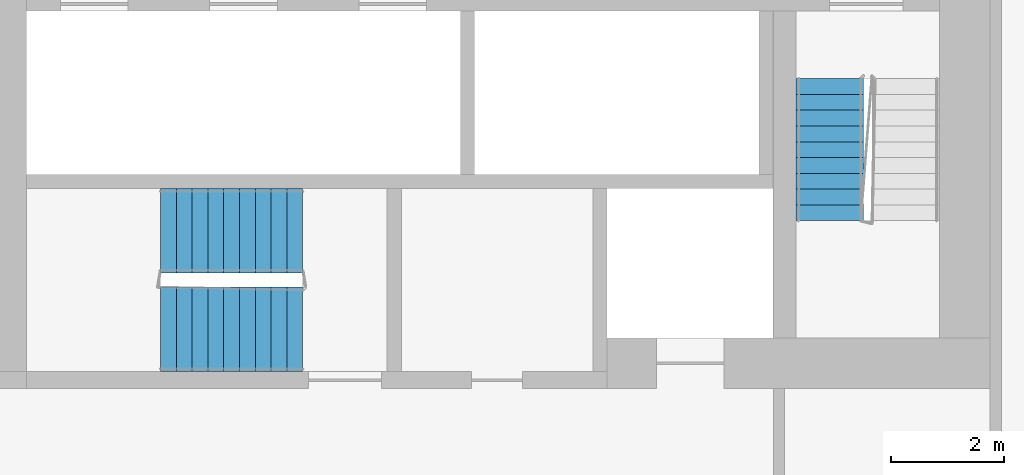
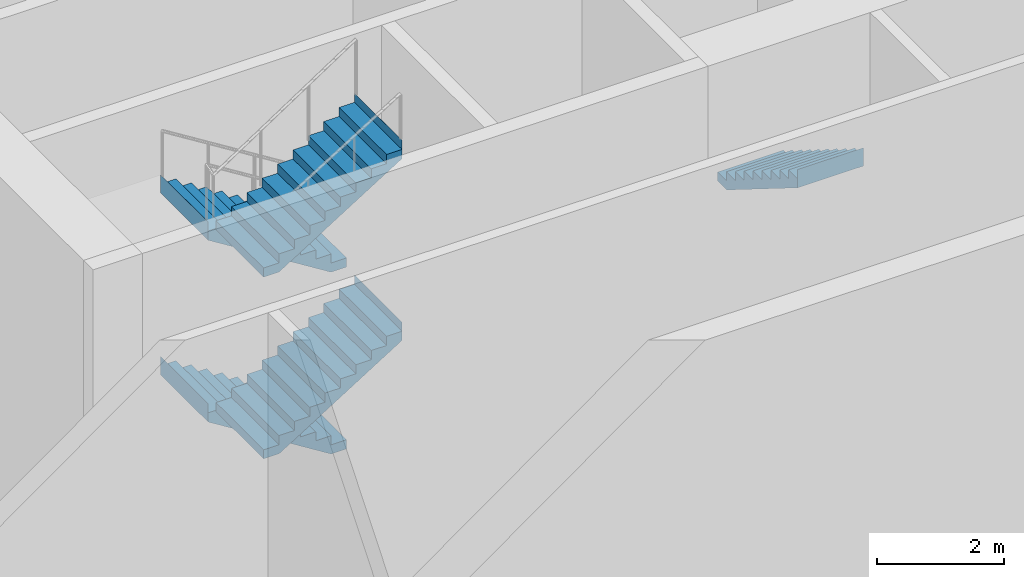
# One storey, part 17 of 23: 5 stair flights, 2 elements without a shape of their own.
"""IFC4 building model written with IfcOpenShell, lengths in metres."""

import ifcopenshell
import ifcopenshell.guid

model = None  # the IFC model being written
_history = None  # IfcOwnerHistory: only IFC2X3 demands one
_inside = {}  # id of a spatial element -> (the spatial element, [elements in it])
_under = {}  # id of a project, library or spatial element -> (it, [spatial elements below it])
_declared = {}  # id of a project -> (the project, [libraries it declares])
_typed = {}  # id of a type object -> (the type object, [elements of that type])
_made_of = {}  # id of a material, layer set ... -> (it, [elements and type objects made of it])


def new_model(schema):
    """Start an empty IFC model of exactly this schema.

    Asked for "IFC4X3", IfcOpenShell would pick the latest addendum, in which some entities
    have other attributes; the version numbers below select the first issue.
    IFC2X3 requires an IfcOwnerHistory on every rooted entity: one is made here for all.
    """
    global model, _history
    if schema == "IFC4X3":
        model = ifcopenshell.file(schema_version=(4, 3, 0, 0))
    else:
        model = ifcopenshell.file(schema=schema)
    _inside.clear()
    _under.clear()
    _declared.clear()
    _typed.clear()
    _made_of.clear()
    _history = None
    if model.schema == "IFC2X3":
        org = make("IfcOrganization", Name="unknown")
        user = make(
            "IfcPersonAndOrganization",
            ThePerson=make("IfcPerson", FamilyName="unknown"),
            TheOrganization=org,
        )
        app = make(
            "IfcApplication",
            ApplicationDeveloper=org,
            Version="unknown",
            ApplicationFullName="unknown",
            ApplicationIdentifier="unknown",
        )
        _history = make(
            "IfcOwnerHistory",
            OwningUser=user,
            OwningApplication=app,
            ChangeAction="ADDED",
            CreationDate=0,
        )
    return model


def make(cls, **values):
    """One entity of the class cls with the attributes given. An attribute that is None is left unset."""
    return model.create_entity(
        cls, **{name: value for name, value in values.items() if value is not None}
    )


def rooted(cls, **values):
    """An entity with a GlobalId (a new one), such as an element, a storey or a relation."""
    return make(cls, GlobalId=ifcopenshell.guid.new(), OwnerHistory=_history, **values)


def si_unit(unit_type, name, prefix=None):
    """IfcSIUnit, for example si_unit("LENGTHUNIT", "METRE", prefix="MILLI")."""
    return make("IfcSIUnit", UnitType=unit_type, Prefix=prefix, Name=name)


def assignment(units):
    """IfcUnitAssignment: the units of a project."""
    return None if units is None else make("IfcUnitAssignment", Units=units)


def point(xyz):
    """IfcCartesianPoint."""
    return None if xyz is None else make("IfcCartesianPoint", Coordinates=xyz)


def direction(xyz):
    """IfcDirection."""
    return None if xyz is None else make("IfcDirection", DirectionRatios=xyz)


def frame(location, z_axis=None, x_axis=None):
    """IfcAxis2Placement3D, a coordinate frame: its origin and axes. An axis left out is left unset."""
    return make(
        "IfcAxis2Placement3D",
        Location=point(location),
        Axis=direction(z_axis),
        RefDirection=direction(x_axis),
    )


def origin():
    """The frame at (0, 0, 0) with its axes left unset."""
    return frame((0.0, 0.0, 0.0))


def place(relative_to, where):
    """IfcLocalPlacement: puts the frame where relative to a parent placement (None: the world)."""
    return make(
        "IfcLocalPlacement", PlacementRelTo=relative_to, RelativePlacement=where
    )


def context(
    kind, dimensions, precision=None, world=None, true_north=None, identifier=None
):
    """IfcGeometricRepresentationContext, for example the 3D "Model" context."""
    return make(
        "IfcGeometricRepresentationContext",
        ContextIdentifier=identifier,
        ContextType=kind,
        CoordinateSpaceDimension=dimensions,
        Precision=precision,
        WorldCoordinateSystem=world,
        TrueNorth=true_north,
    )


def subcontext(parent, identifier, kind, view, scale=None):
    """IfcGeometricRepresentationSubContext, for example "Body" below "Model"."""
    return make(
        "IfcGeometricRepresentationSubContext",
        ContextIdentifier=identifier,
        ContextType=kind,
        ParentContext=parent,
        TargetScale=scale,
        TargetView=view,
    )


def project(units=None, contexts=None):
    """IfcProject with its units and contexts."""
    return rooted(
        "IfcProject",
        Name="project",
        RepresentationContexts=contexts,
        UnitsInContext=assignment(units),
    )


def spatial(cls, under=None, at=None, **own):
    """A site, building, storey or space (cls), placed at a placement, below another one or the project."""
    s = rooted(cls, ObjectPlacement=at, **own)
    if under is not None:
        _under.setdefault(under.id(), (under, []))[1].append(s)
    return s


def faces_of(points, faces, orient=None, outer=None):
    """IfcFace entities. A face is a list of loops; a loop is a list of indices into points, from 0.

    orient and outer hold one flag for each loop. By default every Orientation is true, the
    first loop of a face is its IfcFaceOuterBound and the others are IfcFaceBound.
    """
    made = []
    for i, loops in enumerate(faces):
        bounds = []
        for j, loop in enumerate(loops):
            is_outer = j == 0 if outer is None else outer[i][j]
            bounds.append(
                make(
                    "IfcFaceOuterBound" if is_outer else "IfcFaceBound",
                    Bound=make("IfcPolyLoop", Polygon=[points[k] for k in loop]),
                    Orientation=True if orient is None else orient[i][j],
                )
            )
        made.append(make("IfcFace", Bounds=bounds))
    return made


def faceted_brep(points, faces, orient=None, outer=None, voids=None):
    """IfcFacetedBrep: a solid bounded by flat faces; with voids (closed shells), ...WithVoids."""
    shared = [point(p) for p in points]
    hull = make("IfcClosedShell", CfsFaces=faces_of(shared, faces, orient, outer))
    if voids is None:
        return make("IfcFacetedBrep", Outer=hull)
    return make(
        "IfcFacetedBrepWithVoids",
        Outer=hull,
        Voids=[
            make(cls, CfsFaces=faces_of(shared, fs, o, b)) for cls, fs, o, b in voids
        ],
    )


def shape(context_of_items, identifier, shape_type, items):
    """IfcShapeRepresentation: the items that make up one representation, for example the "Body"."""
    return make(
        "IfcShapeRepresentation",
        ContextOfItems=context_of_items,
        RepresentationIdentifier=identifier,
        RepresentationType=shape_type,
        Items=items,
    )


def material(Name=None, Category=None):
    """IfcMaterial."""
    return make("IfcMaterial", Name=Name, Category=Category)


def made_of(thing, what):
    """Note that an element or type object is made of a material, layer set ...; save() writes the relation."""
    if what is not None:
        _made_of.setdefault(what.id(), (what, []))[1].append(thing)
    return thing


def type_object(cls, material=None, **own):
    """A type object (cls), such as IfcWallType, which elements share."""
    return made_of(rooted(cls, **own), material)


def element(
    cls,
    number,
    at=None,
    inside=None,
    cuts=None,
    type_object=None,
    material=None,
    context=None,
    identifier="Body",
    shape_type=None,
    held_by="IfcProductDefinitionShape",
    body=None,
    shapes=None,
    **own,
):
    """One element of the class cls, such as IfcWall. Its Tag is "e" and its number.

    at: its placement. inside: the storey or other place that contains it. cuts: it is an
    opening in that element (IfcRelVoidsElement). A single representation is given by context,
    identifier, shape_type and body (its items); several are given by shapes. held_by: the class
    of the entity that holds the representations. save() writes the other relations.
    """
    e = rooted(cls, Tag="e%d" % number, ObjectPlacement=at, **own)
    if body is not None:
        shapes = [shape(context, identifier, shape_type, body)]
    if shapes is not None:
        e.Representation = make(held_by, Representations=shapes)
    if inside is not None:
        _inside.setdefault(inside.id(), (inside, []))[1].append(e)
    if cuts is not None:
        rooted(
            "IfcRelVoidsElement", RelatingBuildingElement=cuts, RelatedOpeningElement=e
        )
    if type_object is not None:
        _typed.setdefault(type_object.id(), (type_object, []))[1].append(e)
    return made_of(e, material)


def aggregate(whole, parts):
    """IfcRelAggregates: a whole, such as a stair, and the parts it consists of."""
    return rooted("IfcRelAggregates", RelatingObject=whole, RelatedObjects=parts)


def save(model, path):
    """Write the relations noted so far, then the file.

    IfcRelAggregates (storeys below a building ...), IfcRelContainedInSpatialStructure (elements
    in a storey), IfcRelDefinesByType, IfcRelAssociatesMaterial and IfcRelDeclares: one each for
    every whole, place, type object, material and project.
    """
    for whole, parts in _under.values():
        aggregate(whole, parts)
    for where, things in _inside.values():
        rooted(
            "IfcRelContainedInSpatialStructure",
            RelatedElements=things,
            RelatingStructure=where,
        )
    for kind, things in _typed.values():
        rooted("IfcRelDefinesByType", RelatedObjects=things, RelatingType=kind)
    for what, things in _made_of.values():
        rooted("IfcRelAssociatesMaterial", RelatedObjects=things, RelatingMaterial=what)
    for by, libraries in _declared.values():
        rooted("IfcRelDeclares", RelatingContext=by, RelatedDefinitions=libraries)
    model.write(path)


model = new_model("IFC4")

# Units and contexts
model_context = context("Model", 3, precision=1e-05, world=origin(), true_north=direction((0.0, 1.0)))
body_context = subcontext(model_context, "Body", "Model", "MODEL_VIEW")
ifc_project = project(units=[si_unit("LENGTHUNIT", "METRE"), si_unit("AREAUNIT", "SQUARE_METRE"), si_unit("VOLUMEUNIT", "CUBIC_METRE"), si_unit("PLANEANGLEUNIT", "RADIAN"), si_unit("MASSUNIT", "GRAM", prefix="KILO")], contexts=[model_context])

# Site, building, storey
site_placement = place(None, origin())
site = spatial("IfcSite", under=ifc_project, at=site_placement, CompositionType="ELEMENT")
building_placement = place(site_placement, origin())
building = spatial("IfcBuilding", under=site, at=building_placement, Name="Kajstack Hotel Tower", CompositionType="ELEMENT")
storey_placement = place(building_placement, frame((0.0, 0.0, 53.0)))
storey = spatial("IfcBuildingStorey", under=building, at=storey_placement, Name="L08", CompositionType="ELEMENT", Elevation=53.0)

# Stair, stair flight
ifc_material = material(Name="Concrete C40/50", Category="concrete")
stair_type_1 = type_object("IfcStairType", Name="Exit stair 1200", PredefinedType="HALF_TURN_STAIR", material=ifc_material)
stair_1_placement = place(storey_placement, origin())
stair_1 = element("IfcStair", 1, at=stair_1_placement, inside=storey, type_object=stair_type_1, Name="L08 stair W2", PredefinedType="HALF_TURN_STAIR")
stair_flight_type_1 = type_object("IfcStairFlightType", Name="Exit stair flight 1200", PredefinedType="STRAIGHT", material=ifc_material)
stair_flight_1_placement = place(storey_placement, frame((-16.35009765625, -10.0, 0.0), z_axis=(0.0, 0.0, 1.0), x_axis=(0.0, -1.0, 0.0)))
stair_flight_1 = element("IfcStairFlight", 2, at=stair_flight_1_placement, type_object=stair_flight_type_1, Name="W2 flight 1", NumberOfRisers=10, NumberOfTreads=9, PredefinedType="STRAIGHT", RiserHeight=0.175, TreadLength=0.28, context=body_context, shape_type="Brep", body=[
    faceted_brep([(0.283447265625, -0.60009765625, 0.0), (2.5205078125, -0.60009765625, 1.398193359375), (2.5205078125, -0.60009765625, 1.75), (2.52001953125, -0.60009765625, 1.75), (2.52001953125, -0.60009765625, 1.574951171875), (2.239990234375, -0.60009765625, 1.574951171875), (2.239990234375, -0.60009765625, 1.39990234375), (1.9599609375, -0.60009765625, 1.39990234375), (1.9599609375, -0.60009765625, 1.22509765625), (1.679931640625, -0.60009765625, 1.22509765625), (1.679931640625, -0.60009765625, 1.050048828125), (1.39990234375, -0.60009765625, 1.050048828125), (1.39990234375, -0.60009765625, 0.875), (1.1201171875, -0.60009765625, 0.875), (1.1201171875, -0.60009765625, 0.699951171875), (0.840087890625, -0.60009765625, 0.699951171875), (0.840087890625, -0.60009765625, 0.52490234375), (0.56005859375, -0.60009765625, 0.52490234375), (0.56005859375, -0.60009765625, 0.35009765625), (0.280029296875, -0.60009765625, 0.35009765625), (0.280029296875, -0.60009765625, 0.175048828125), (-0.00048828125, -0.60009765625, 0.175048828125), (-0.00048828125, -0.60009765625, 0.0), (-0.00048828125, 0.60009765625, 0.0), (-0.00048828125, 0.60009765625, 0.175048828125), (0.280029296875, 0.60009765625, 0.175048828125), (0.280029296875, 0.60009765625, 0.35009765625), (0.56005859375, 0.60009765625, 0.35009765625), (0.56005859375, 0.60009765625, 0.52490234375), (0.840087890625, 0.60009765625, 0.52490234375), (0.840087890625, 0.60009765625, 0.699951171875), (1.1201171875, 0.60009765625, 0.699951171875), (1.1201171875, 0.60009765625, 0.875), (1.39990234375, 0.60009765625, 0.875), (1.39990234375, 0.60009765625, 1.050048828125), (1.679931640625, 0.60009765625, 1.050048828125), (1.679931640625, 0.60009765625, 1.22509765625), (1.9599609375, 0.60009765625, 1.22509765625), (1.9599609375, 0.60009765625, 1.39990234375), (2.239990234375, 0.60009765625, 1.39990234375), (2.239990234375, 0.60009765625, 1.574951171875), (2.52001953125, 0.60009765625, 1.574951171875), (2.52001953125, 0.60009765625, 1.75), (2.5205078125, 0.60009765625, 1.75), (2.5205078125, 0.60009765625, 1.398193359375), (0.283447265625, 0.60009765625, 0.0), (-0.00048828125, -0.300048828125, 0.175048828125), (-0.00048828125, 0.0, 0.175048828125), (-0.00048828125, 0.300048828125, 0.175048828125), (-0.00048828125, 0.300048828125, 0.0), (-0.00048828125, 0.0, 0.0), (-0.00048828125, -0.300048828125, 0.0), (0.280029296875, -0.300048828125, 0.175048828125), (0.280029296875, 0.0, 0.175048828125), (0.280029296875, 0.300048828125, 0.175048828125), (0.280029296875, -0.300048828125, 0.35009765625), (0.280029296875, 0.0, 0.35009765625), (0.280029296875, 0.300048828125, 0.35009765625), (0.56005859375, -0.300048828125, 0.35009765625), (0.56005859375, 0.0, 0.35009765625), (0.56005859375, 0.300048828125, 0.35009765625), (0.56005859375, -0.300048828125, 0.52490234375), (0.56005859375, 0.0, 0.52490234375), (0.56005859375, 0.300048828125, 0.52490234375), (0.840087890625, -0.300048828125, 0.52490234375), (0.840087890625, 0.0, 0.52490234375), (0.840087890625, 0.300048828125, 0.52490234375), (0.840087890625, -0.300048828125, 0.699951171875), (0.840087890625, 0.0, 0.699951171875), (0.840087890625, 0.300048828125, 0.699951171875), (1.1201171875, -0.300048828125, 0.699951171875), (1.1201171875, 0.0, 0.699951171875), (1.1201171875, 0.300048828125, 0.699951171875), (1.1201171875, -0.300048828125, 0.875), (1.1201171875, 0.0, 0.875), (1.1201171875, 0.300048828125, 0.875), (1.39990234375, -0.300048828125, 0.875), (1.39990234375, 0.0, 0.875), (1.39990234375, 0.300048828125, 0.875), (1.39990234375, -0.300048828125, 1.050048828125), (1.39990234375, 0.0, 1.050048828125), (1.39990234375, 0.300048828125, 1.050048828125), (1.679931640625, -0.300048828125, 1.050048828125), (1.679931640625, 0.0, 1.050048828125), (1.679931640625, 0.300048828125, 1.050048828125), (1.679931640625, -0.300048828125, 1.22509765625), (1.679931640625, 0.0, 1.22509765625), (1.679931640625, 0.300048828125, 1.22509765625), (1.9599609375, -0.300048828125, 1.22509765625), (1.9599609375, 0.0, 1.22509765625), (1.9599609375, 0.300048828125, 1.22509765625), (1.9599609375, -0.300048828125, 1.39990234375), (1.9599609375, 0.0, 1.39990234375), (1.9599609375, 0.300048828125, 1.39990234375), (2.239990234375, -0.300048828125, 1.39990234375), (2.239990234375, 0.0, 1.39990234375), (2.239990234375, 0.300048828125, 1.39990234375), (2.239990234375, -0.300048828125, 1.574951171875), (2.239990234375, 0.0, 1.574951171875), (2.239990234375, 0.300048828125, 1.574951171875), (2.52001953125, -0.300048828125, 1.574951171875), (2.52001953125, 0.0, 1.574951171875), (2.52001953125, 0.300048828125, 1.574951171875), (2.52001953125, -0.300048828125, 1.75), (2.52001953125, 0.0, 1.75), (2.52001953125, 0.300048828125, 1.75), (2.5205078125, -0.300048828125, 1.75), (2.5205078125, 0.0, 1.75), (2.5205078125, 0.300048828125, 1.75), (2.5205078125, -0.300048828125, 1.398193359375), (2.5205078125, 0.0, 1.398193359375), (2.5205078125, 0.300048828125, 1.398193359375), (0.283447265625, -0.300048828125, 0.0), (0.283447265625, 0.0, 0.0), (0.283447265625, 0.300048828125, 0.0)], [[[0, 1, 2, 3, 4, 5, 6, 7, 8, 9, 10, 11, 12, 13, 14, 15, 16, 17, 18, 19, 20, 21, 22]], [[23, 24, 25, 26, 27, 28, 29, 30, 31, 32, 33, 34, 35, 36, 37, 38, 39, 40, 41, 42, 43, 44, 45]], [[21, 46, 47, 48, 24, 23, 49, 50, 51, 22]], [[20, 52, 53, 54, 25, 24, 48, 47, 46, 21]], [[19, 55, 56, 57, 26, 25, 54, 53, 52, 20]], [[18, 58, 59, 60, 27, 26, 57, 56, 55, 19]], [[17, 61, 62, 63, 28, 27, 60, 59, 58, 18]], [[16, 64, 65, 66, 29, 28, 63, 62, 61, 17]], [[15, 67, 68, 69, 30, 29, 66, 65, 64, 16]], [[14, 70, 71, 72, 31, 30, 69, 68, 67, 15]], [[13, 73, 74, 75, 32, 31, 72, 71, 70, 14]], [[12, 76, 77, 78, 33, 32, 75, 74, 73, 13]], [[11, 79, 80, 81, 34, 33, 78, 77, 76, 12]], [[10, 82, 83, 84, 35, 34, 81, 80, 79, 11]], [[9, 85, 86, 87, 36, 35, 84, 83, 82, 10]], [[8, 88, 89, 90, 37, 36, 87, 86, 85, 9]], [[7, 91, 92, 93, 38, 37, 90, 89, 88, 8]], [[6, 94, 95, 96, 39, 38, 93, 92, 91, 7]], [[5, 97, 98, 99, 40, 39, 96, 95, 94, 6]], [[4, 100, 101, 102, 41, 40, 99, 98, 97, 5]], [[3, 103, 104, 105, 42, 41, 102, 101, 100, 4]], [[2, 106, 107, 108, 43, 42, 105, 104, 103, 3]], [[1, 109, 110, 111, 44, 43, 108, 107, 106, 2]], [[0, 112, 113, 114, 45, 44, 111, 110, 109, 1]], [[22, 51, 50, 49, 23, 45, 114, 113, 112, 0]]]),
])
aggregate(stair_1, [stair_flight_1])

# Stair, stair flights
stair_type_2 = type_object("IfcStairType", Name="Exit stair 1500", PredefinedType="HALF_TURN_STAIR", material=ifc_material)
stair_2_placement = place(storey_placement, origin())
stair_2 = element("IfcStair", 3, at=stair_2_placement, inside=storey, type_object=stair_type_2, Name="L08 stair W3", PredefinedType="HALF_TURN_STAIR")
stair_flight_type_2 = type_object("IfcStairFlightType", Name="Exit stair flight 1500", PredefinedType="STRAIGHT", material=ifc_material)
stair_flight_2_placement = place(storey_placement, frame((-25.699951171875, -12.699951171875, 0.0), z_axis=(0.0, 0.0, 1.0), x_axis=(-1.0, 0.0, 0.0)))
stair_flight_2 = element("IfcStairFlight", 4, at=stair_flight_2_placement, type_object=stair_flight_type_2, Name="W3 flight 1", NumberOfRisers=10, NumberOfTreads=9, PredefinedType="STRAIGHT", RiserHeight=0.175, TreadLength=0.28, context=body_context, shape_type="Brep", body=[
    faceted_brep([(0.283447265625, -0.75, 0.0), (2.5205078125, -0.75, 1.398193359375), (2.5205078125, -0.75, 1.75), (2.52001953125, -0.75, 1.75), (2.52001953125, -0.75, 1.574951171875), (2.239990234375, -0.75, 1.574951171875), (2.239990234375, -0.75, 1.39990234375), (1.9599609375, -0.75, 1.39990234375), (1.9599609375, -0.75, 1.22509765625), (1.679931640625, -0.75, 1.22509765625), (1.679931640625, -0.75, 1.050048828125), (1.39990234375, -0.75, 1.050048828125), (1.39990234375, -0.75, 0.875), (1.1201171875, -0.75, 0.875), (1.1201171875, -0.75, 0.699951171875), (0.840087890625, -0.75, 0.699951171875), (0.840087890625, -0.75, 0.52490234375), (0.56005859375, -0.75, 0.52490234375), (0.56005859375, -0.75, 0.35009765625), (0.280029296875, -0.75, 0.35009765625), (0.280029296875, -0.75, 0.175048828125), (-0.00048828125, -0.75, 0.175048828125), (-0.00048828125, -0.75, 0.0), (-0.00048828125, 0.75, 0.0), (-0.00048828125, 0.75, 0.175048828125), (0.280029296875, 0.75, 0.175048828125), (0.280029296875, 0.75, 0.35009765625), (0.56005859375, 0.75, 0.35009765625), (0.56005859375, 0.75, 0.52490234375), (0.840087890625, 0.75, 0.52490234375), (0.840087890625, 0.75, 0.699951171875), (1.1201171875, 0.75, 0.699951171875), (1.1201171875, 0.75, 0.875), (1.39990234375, 0.75, 0.875), (1.39990234375, 0.75, 1.050048828125), (1.679931640625, 0.75, 1.050048828125), (1.679931640625, 0.75, 1.22509765625), (1.9599609375, 0.75, 1.22509765625), (1.9599609375, 0.75, 1.39990234375), (2.239990234375, 0.75, 1.39990234375), (2.239990234375, 0.75, 1.574951171875), (2.52001953125, 0.75, 1.574951171875), (2.52001953125, 0.75, 1.75), (2.5205078125, 0.75, 1.75), (2.5205078125, 0.75, 1.398193359375), (0.283447265625, 0.75, 0.0), (-0.00048828125, -0.375, 0.175048828125), (-0.00048828125, 0.0, 0.175048828125), (-0.00048828125, 0.375, 0.175048828125), (-0.00048828125, 0.375, 0.0), (-0.00048828125, 0.0, 0.0), (-0.00048828125, -0.375, 0.0), (0.280029296875, -0.375, 0.175048828125), (0.280029296875, 0.0, 0.175048828125), (0.280029296875, 0.375, 0.175048828125), (0.280029296875, -0.375, 0.35009765625), (0.280029296875, 0.0, 0.35009765625), (0.280029296875, 0.375, 0.35009765625), (0.56005859375, -0.375, 0.35009765625), (0.56005859375, 0.0, 0.35009765625), (0.56005859375, 0.375, 0.35009765625), (0.56005859375, -0.375, 0.52490234375), (0.56005859375, 0.0, 0.52490234375), (0.56005859375, 0.375, 0.52490234375), (0.840087890625, -0.375, 0.52490234375), (0.840087890625, 0.0, 0.52490234375), (0.840087890625, 0.375, 0.52490234375), (0.840087890625, -0.375, 0.699951171875), (0.840087890625, 0.0, 0.699951171875), (0.840087890625, 0.375, 0.699951171875), (1.1201171875, -0.375, 0.699951171875), (1.1201171875, 0.0, 0.699951171875), (1.1201171875, 0.375, 0.699951171875), (1.1201171875, -0.375, 0.875), (1.1201171875, 0.0, 0.875), (1.1201171875, 0.375, 0.875), (1.39990234375, -0.375, 0.875), (1.39990234375, 0.0, 0.875), (1.39990234375, 0.375, 0.875), (1.39990234375, -0.375, 1.050048828125), (1.39990234375, 0.0, 1.050048828125), (1.39990234375, 0.375, 1.050048828125), (1.679931640625, -0.375, 1.050048828125), (1.679931640625, 0.0, 1.050048828125), (1.679931640625, 0.375, 1.050048828125), (1.679931640625, -0.375, 1.22509765625), (1.679931640625, 0.0, 1.22509765625), (1.679931640625, 0.375, 1.22509765625), (1.9599609375, -0.375, 1.22509765625), (1.9599609375, 0.0, 1.22509765625), (1.9599609375, 0.375, 1.22509765625), (1.9599609375, -0.375, 1.39990234375), (1.9599609375, 0.0, 1.39990234375), (1.9599609375, 0.375, 1.39990234375), (2.239990234375, -0.375, 1.39990234375), (2.239990234375, 0.0, 1.39990234375), (2.239990234375, 0.375, 1.39990234375), (2.239990234375, -0.375, 1.574951171875), (2.239990234375, 0.0, 1.574951171875), (2.239990234375, 0.375, 1.574951171875), (2.52001953125, -0.375, 1.574951171875), (2.52001953125, 0.0, 1.574951171875), (2.52001953125, 0.375, 1.574951171875), (2.52001953125, -0.375, 1.75), (2.52001953125, 0.0, 1.75), (2.52001953125, 0.375, 1.75), (2.5205078125, -0.375, 1.75), (2.5205078125, 0.0, 1.75), (2.5205078125, 0.375, 1.75), (2.5205078125, -0.375, 1.398193359375), (2.5205078125, 0.0, 1.398193359375), (2.5205078125, 0.375, 1.398193359375), (0.283447265625, -0.375, 0.0), (0.283447265625, 0.0, 0.0), (0.283447265625, 0.375, 0.0)], [[[0, 1, 2, 3, 4, 5, 6, 7, 8, 9, 10, 11, 12, 13, 14, 15, 16, 17, 18, 19, 20, 21, 22]], [[23, 24, 25, 26, 27, 28, 29, 30, 31, 32, 33, 34, 35, 36, 37, 38, 39, 40, 41, 42, 43, 44, 45]], [[21, 46, 47, 48, 24, 23, 49, 50, 51, 22]], [[20, 52, 53, 54, 25, 24, 48, 47, 46, 21]], [[19, 55, 56, 57, 26, 25, 54, 53, 52, 20]], [[18, 58, 59, 60, 27, 26, 57, 56, 55, 19]], [[17, 61, 62, 63, 28, 27, 60, 59, 58, 18]], [[16, 64, 65, 66, 29, 28, 63, 62, 61, 17]], [[15, 67, 68, 69, 30, 29, 66, 65, 64, 16]], [[14, 70, 71, 72, 31, 30, 69, 68, 67, 15]], [[13, 73, 74, 75, 32, 31, 72, 71, 70, 14]], [[12, 76, 77, 78, 33, 32, 75, 74, 73, 13]], [[11, 79, 80, 81, 34, 33, 78, 77, 76, 12]], [[10, 82, 83, 84, 35, 34, 81, 80, 79, 11]], [[9, 85, 86, 87, 36, 35, 84, 83, 82, 10]], [[8, 88, 89, 90, 37, 36, 87, 86, 85, 9]], [[7, 91, 92, 93, 38, 37, 90, 89, 88, 8]], [[6, 94, 95, 96, 39, 38, 93, 92, 91, 7]], [[5, 97, 98, 99, 40, 39, 96, 95, 94, 6]], [[4, 100, 101, 102, 41, 40, 99, 98, 97, 5]], [[3, 103, 104, 105, 42, 41, 102, 101, 100, 4]], [[2, 106, 107, 108, 43, 42, 105, 104, 103, 3]], [[1, 109, 110, 111, 44, 43, 108, 107, 106, 2]], [[0, 112, 113, 114, 45, 44, 111, 110, 109, 1]], [[22, 51, 50, 49, 23, 45, 114, 113, 112, 0]]]),
])
stair_flight_3_placement = place(storey_placement, frame((-28.219970703125, -14.449951171875, 1.75), z_axis=(0.0, 0.0, 1.0), x_axis=(1.0, 0.0, 0.0)))
stair_flight_3 = element("IfcStairFlight", 5, at=stair_flight_3_placement, type_object=stair_flight_type_2, Name="W3 flight 2", NumberOfRisers=10, NumberOfTreads=9, PredefinedType="STRAIGHT", RiserHeight=0.175, TreadLength=0.28, context=body_context, shape_type="Brep", body=[
    faceted_brep([(0.283447265625, -0.75, 0.0), (2.5205078125, -0.75, 1.398193359375), (2.5205078125, -0.75, 1.75), (2.52001953125, -0.75, 1.75), (2.52001953125, -0.75, 1.574951171875), (2.239990234375, -0.75, 1.574951171875), (2.239990234375, -0.75, 1.39990234375), (1.9599609375, -0.75, 1.39990234375), (1.9599609375, -0.75, 1.22509765625), (1.679931640625, -0.75, 1.22509765625), (1.679931640625, -0.75, 1.050048828125), (1.39990234375, -0.75, 1.050048828125), (1.39990234375, -0.75, 0.875), (1.1201171875, -0.75, 0.875), (1.1201171875, -0.75, 0.699951171875), (0.840087890625, -0.75, 0.699951171875), (0.840087890625, -0.75, 0.52490234375), (0.56005859375, -0.75, 0.52490234375), (0.56005859375, -0.75, 0.35009765625), (0.280029296875, -0.75, 0.35009765625), (0.280029296875, -0.75, 0.175048828125), (-0.00048828125, -0.75, 0.175048828125), (-0.00048828125, -0.75, 0.0), (-0.00048828125, 0.75, 0.0), (-0.00048828125, 0.75, 0.175048828125), (0.280029296875, 0.75, 0.175048828125), (0.280029296875, 0.75, 0.35009765625), (0.56005859375, 0.75, 0.35009765625), (0.56005859375, 0.75, 0.52490234375), (0.840087890625, 0.75, 0.52490234375), (0.840087890625, 0.75, 0.699951171875), (1.1201171875, 0.75, 0.699951171875), (1.1201171875, 0.75, 0.875), (1.39990234375, 0.75, 0.875), (1.39990234375, 0.75, 1.050048828125), (1.679931640625, 0.75, 1.050048828125), (1.679931640625, 0.75, 1.22509765625), (1.9599609375, 0.75, 1.22509765625), (1.9599609375, 0.75, 1.39990234375), (2.239990234375, 0.75, 1.39990234375), (2.239990234375, 0.75, 1.574951171875), (2.52001953125, 0.75, 1.574951171875), (2.52001953125, 0.75, 1.75), (2.5205078125, 0.75, 1.75), (2.5205078125, 0.75, 1.398193359375), (0.283447265625, 0.75, 0.0), (-0.00048828125, -0.375, 0.175048828125), (-0.00048828125, 0.0, 0.175048828125), (-0.00048828125, 0.375, 0.175048828125), (-0.00048828125, 0.375, 0.0), (-0.00048828125, 0.0, 0.0), (-0.00048828125, -0.375, 0.0), (0.280029296875, -0.375, 0.175048828125), (0.280029296875, 0.0, 0.175048828125), (0.280029296875, 0.375, 0.175048828125), (0.280029296875, -0.375, 0.35009765625), (0.280029296875, 0.0, 0.35009765625), (0.280029296875, 0.375, 0.35009765625), (0.56005859375, -0.375, 0.35009765625), (0.56005859375, 0.0, 0.35009765625), (0.56005859375, 0.375, 0.35009765625), (0.56005859375, -0.375, 0.52490234375), (0.56005859375, 0.0, 0.52490234375), (0.56005859375, 0.375, 0.52490234375), (0.840087890625, -0.375, 0.52490234375), (0.840087890625, 0.0, 0.52490234375), (0.840087890625, 0.375, 0.52490234375), (0.840087890625, -0.375, 0.699951171875), (0.840087890625, 0.0, 0.699951171875), (0.840087890625, 0.375, 0.699951171875), (1.1201171875, -0.375, 0.699951171875), (1.1201171875, 0.0, 0.699951171875), (1.1201171875, 0.375, 0.699951171875), (1.1201171875, -0.375, 0.875), (1.1201171875, 0.0, 0.875), (1.1201171875, 0.375, 0.875), (1.39990234375, -0.375, 0.875), (1.39990234375, 0.0, 0.875), (1.39990234375, 0.375, 0.875), (1.39990234375, -0.375, 1.050048828125), (1.39990234375, 0.0, 1.050048828125), (1.39990234375, 0.375, 1.050048828125), (1.679931640625, -0.375, 1.050048828125), (1.679931640625, 0.0, 1.050048828125), (1.679931640625, 0.375, 1.050048828125), (1.679931640625, -0.375, 1.22509765625), (1.679931640625, 0.0, 1.22509765625), (1.679931640625, 0.375, 1.22509765625), (1.9599609375, -0.375, 1.22509765625), (1.9599609375, 0.0, 1.22509765625), (1.9599609375, 0.375, 1.22509765625), (1.9599609375, -0.375, 1.39990234375), (1.9599609375, 0.0, 1.39990234375), (1.9599609375, 0.375, 1.39990234375), (2.239990234375, -0.375, 1.39990234375), (2.239990234375, 0.0, 1.39990234375), (2.239990234375, 0.375, 1.39990234375), (2.239990234375, -0.375, 1.574951171875), (2.239990234375, 0.0, 1.574951171875), (2.239990234375, 0.375, 1.574951171875), (2.52001953125, -0.375, 1.574951171875), (2.52001953125, 0.0, 1.574951171875), (2.52001953125, 0.375, 1.574951171875), (2.52001953125, -0.375, 1.75), (2.52001953125, 0.0, 1.75), (2.52001953125, 0.375, 1.75), (2.5205078125, -0.375, 1.75), (2.5205078125, 0.0, 1.75), (2.5205078125, 0.375, 1.75), (2.5205078125, -0.375, 1.398193359375), (2.5205078125, 0.0, 1.398193359375), (2.5205078125, 0.375, 1.398193359375), (0.283447265625, -0.375, 0.0), (0.283447265625, 0.0, 0.0), (0.283447265625, 0.375, 0.0)], [[[0, 1, 2, 3, 4, 5, 6, 7, 8, 9, 10, 11, 12, 13, 14, 15, 16, 17, 18, 19, 20, 21, 22]], [[23, 24, 25, 26, 27, 28, 29, 30, 31, 32, 33, 34, 35, 36, 37, 38, 39, 40, 41, 42, 43, 44, 45]], [[21, 46, 47, 48, 24, 23, 49, 50, 51, 22]], [[20, 52, 53, 54, 25, 24, 48, 47, 46, 21]], [[19, 55, 56, 57, 26, 25, 54, 53, 52, 20]], [[18, 58, 59, 60, 27, 26, 57, 56, 55, 19]], [[17, 61, 62, 63, 28, 27, 60, 59, 58, 18]], [[16, 64, 65, 66, 29, 28, 63, 62, 61, 17]], [[15, 67, 68, 69, 30, 29, 66, 65, 64, 16]], [[14, 70, 71, 72, 31, 30, 69, 68, 67, 15]], [[13, 73, 74, 75, 32, 31, 72, 71, 70, 14]], [[12, 76, 77, 78, 33, 32, 75, 74, 73, 13]], [[11, 79, 80, 81, 34, 33, 78, 77, 76, 12]], [[10, 82, 83, 84, 35, 34, 81, 80, 79, 11]], [[9, 85, 86, 87, 36, 35, 84, 83, 82, 10]], [[8, 88, 89, 90, 37, 36, 87, 86, 85, 9]], [[7, 91, 92, 93, 38, 37, 90, 89, 88, 8]], [[6, 94, 95, 96, 39, 38, 93, 92, 91, 7]], [[5, 97, 98, 99, 40, 39, 96, 95, 94, 6]], [[4, 100, 101, 102, 41, 40, 99, 98, 97, 5]], [[3, 103, 104, 105, 42, 41, 102, 101, 100, 4]], [[2, 106, 107, 108, 43, 42, 105, 104, 103, 3]], [[1, 109, 110, 111, 44, 43, 108, 107, 106, 2]], [[0, 112, 113, 114, 45, 44, 111, 110, 109, 1]], [[22, 51, 50, 49, 23, 45, 114, 113, 112, 0]]]),
])
stair_flight_4_placement = place(storey_placement, frame((-25.699951171875, -12.699951171875, 3.5), z_axis=(0.0, 0.0, 1.0), x_axis=(-1.0, 0.0, 0.0)))
stair_flight_4 = element("IfcStairFlight", 6, at=stair_flight_4_placement, type_object=stair_flight_type_2, Name="W3 flight 3", NumberOfRisers=10, NumberOfTreads=9, PredefinedType="STRAIGHT", RiserHeight=0.175, TreadLength=0.28, context=body_context, shape_type="Brep", body=[
    faceted_brep([(0.283447265625, -0.75, 0.0), (2.5205078125, -0.75, 1.398193359375), (2.5205078125, -0.75, 1.75), (2.52001953125, -0.75, 1.75), (2.52001953125, -0.75, 1.574951171875), (2.239990234375, -0.75, 1.574951171875), (2.239990234375, -0.75, 1.39990234375), (1.9599609375, -0.75, 1.39990234375), (1.9599609375, -0.75, 1.22509765625), (1.679931640625, -0.75, 1.22509765625), (1.679931640625, -0.75, 1.050048828125), (1.39990234375, -0.75, 1.050048828125), (1.39990234375, -0.75, 0.875), (1.1201171875, -0.75, 0.875), (1.1201171875, -0.75, 0.699951171875), (0.840087890625, -0.75, 0.699951171875), (0.840087890625, -0.75, 0.52490234375), (0.56005859375, -0.75, 0.52490234375), (0.56005859375, -0.75, 0.35009765625), (0.280029296875, -0.75, 0.35009765625), (0.280029296875, -0.75, 0.175048828125), (-0.00048828125, -0.75, 0.175048828125), (-0.00048828125, -0.75, 0.0), (-0.00048828125, 0.75, 0.0), (-0.00048828125, 0.75, 0.175048828125), (0.280029296875, 0.75, 0.175048828125), (0.280029296875, 0.75, 0.35009765625), (0.56005859375, 0.75, 0.35009765625), (0.56005859375, 0.75, 0.52490234375), (0.840087890625, 0.75, 0.52490234375), (0.840087890625, 0.75, 0.699951171875), (1.1201171875, 0.75, 0.699951171875), (1.1201171875, 0.75, 0.875), (1.39990234375, 0.75, 0.875), (1.39990234375, 0.75, 1.050048828125), (1.679931640625, 0.75, 1.050048828125), (1.679931640625, 0.75, 1.22509765625), (1.9599609375, 0.75, 1.22509765625), (1.9599609375, 0.75, 1.39990234375), (2.239990234375, 0.75, 1.39990234375), (2.239990234375, 0.75, 1.574951171875), (2.52001953125, 0.75, 1.574951171875), (2.52001953125, 0.75, 1.75), (2.5205078125, 0.75, 1.75), (2.5205078125, 0.75, 1.398193359375), (0.283447265625, 0.75, 0.0), (-0.00048828125, -0.375, 0.175048828125), (-0.00048828125, 0.0, 0.175048828125), (-0.00048828125, 0.375, 0.175048828125), (-0.00048828125, 0.375, 0.0), (-0.00048828125, 0.0, 0.0), (-0.00048828125, -0.375, 0.0), (0.280029296875, -0.375, 0.175048828125), (0.280029296875, 0.0, 0.175048828125), (0.280029296875, 0.375, 0.175048828125), (0.280029296875, -0.375, 0.35009765625), (0.280029296875, 0.0, 0.35009765625), (0.280029296875, 0.375, 0.35009765625), (0.56005859375, -0.375, 0.35009765625), (0.56005859375, 0.0, 0.35009765625), (0.56005859375, 0.375, 0.35009765625), (0.56005859375, -0.375, 0.52490234375), (0.56005859375, 0.0, 0.52490234375), (0.56005859375, 0.375, 0.52490234375), (0.840087890625, -0.375, 0.52490234375), (0.840087890625, 0.0, 0.52490234375), (0.840087890625, 0.375, 0.52490234375), (0.840087890625, -0.375, 0.699951171875), (0.840087890625, 0.0, 0.699951171875), (0.840087890625, 0.375, 0.699951171875), (1.1201171875, -0.375, 0.699951171875), (1.1201171875, 0.0, 0.699951171875), (1.1201171875, 0.375, 0.699951171875), (1.1201171875, -0.375, 0.875), (1.1201171875, 0.0, 0.875), (1.1201171875, 0.375, 0.875), (1.39990234375, -0.375, 0.875), (1.39990234375, 0.0, 0.875), (1.39990234375, 0.375, 0.875), (1.39990234375, -0.375, 1.050048828125), (1.39990234375, 0.0, 1.050048828125), (1.39990234375, 0.375, 1.050048828125), (1.679931640625, -0.375, 1.050048828125), (1.679931640625, 0.0, 1.050048828125), (1.679931640625, 0.375, 1.050048828125), (1.679931640625, -0.375, 1.22509765625), (1.679931640625, 0.0, 1.22509765625), (1.679931640625, 0.375, 1.22509765625), (1.9599609375, -0.375, 1.22509765625), (1.9599609375, 0.0, 1.22509765625), (1.9599609375, 0.375, 1.22509765625), (1.9599609375, -0.375, 1.39990234375), (1.9599609375, 0.0, 1.39990234375), (1.9599609375, 0.375, 1.39990234375), (2.239990234375, -0.375, 1.39990234375), (2.239990234375, 0.0, 1.39990234375), (2.239990234375, 0.375, 1.39990234375), (2.239990234375, -0.375, 1.574951171875), (2.239990234375, 0.0, 1.574951171875), (2.239990234375, 0.375, 1.574951171875), (2.52001953125, -0.375, 1.574951171875), (2.52001953125, 0.0, 1.574951171875), (2.52001953125, 0.375, 1.574951171875), (2.52001953125, -0.375, 1.75), (2.52001953125, 0.0, 1.75), (2.52001953125, 0.375, 1.75), (2.5205078125, -0.375, 1.75), (2.5205078125, 0.0, 1.75), (2.5205078125, 0.375, 1.75), (2.5205078125, -0.375, 1.398193359375), (2.5205078125, 0.0, 1.398193359375), (2.5205078125, 0.375, 1.398193359375), (0.283447265625, -0.375, 0.0), (0.283447265625, 0.0, 0.0), (0.283447265625, 0.375, 0.0)], [[[0, 1, 2, 3, 4, 5, 6, 7, 8, 9, 10, 11, 12, 13, 14, 15, 16, 17, 18, 19, 20, 21, 22]], [[23, 24, 25, 26, 27, 28, 29, 30, 31, 32, 33, 34, 35, 36, 37, 38, 39, 40, 41, 42, 43, 44, 45]], [[21, 46, 47, 48, 24, 23, 49, 50, 51, 22]], [[20, 52, 53, 54, 25, 24, 48, 47, 46, 21]], [[19, 55, 56, 57, 26, 25, 54, 53, 52, 20]], [[18, 58, 59, 60, 27, 26, 57, 56, 55, 19]], [[17, 61, 62, 63, 28, 27, 60, 59, 58, 18]], [[16, 64, 65, 66, 29, 28, 63, 62, 61, 17]], [[15, 67, 68, 69, 30, 29, 66, 65, 64, 16]], [[14, 70, 71, 72, 31, 30, 69, 68, 67, 15]], [[13, 73, 74, 75, 32, 31, 72, 71, 70, 14]], [[12, 76, 77, 78, 33, 32, 75, 74, 73, 13]], [[11, 79, 80, 81, 34, 33, 78, 77, 76, 12]], [[10, 82, 83, 84, 35, 34, 81, 80, 79, 11]], [[9, 85, 86, 87, 36, 35, 84, 83, 82, 10]], [[8, 88, 89, 90, 37, 36, 87, 86, 85, 9]], [[7, 91, 92, 93, 38, 37, 90, 89, 88, 8]], [[6, 94, 95, 96, 39, 38, 93, 92, 91, 7]], [[5, 97, 98, 99, 40, 39, 96, 95, 94, 6]], [[4, 100, 101, 102, 41, 40, 99, 98, 97, 5]], [[3, 103, 104, 105, 42, 41, 102, 101, 100, 4]], [[2, 106, 107, 108, 43, 42, 105, 104, 103, 3]], [[1, 109, 110, 111, 44, 43, 108, 107, 106, 2]], [[0, 112, 113, 114, 45, 44, 111, 110, 109, 1]], [[22, 51, 50, 49, 23, 45, 114, 113, 112, 0]]]),
])
stair_flight_5_placement = place(storey_placement, frame((-28.219970703125, -14.449951171875, 5.25), z_axis=(0.0, 0.0, 1.0), x_axis=(1.0, 0.0, 0.0)))
stair_flight_5 = element("IfcStairFlight", 7, at=stair_flight_5_placement, type_object=stair_flight_type_2, Name="W3 flight 4", NumberOfRisers=10, NumberOfTreads=9, PredefinedType="STRAIGHT", RiserHeight=0.175, TreadLength=0.28, context=body_context, shape_type="Brep", body=[
    faceted_brep([(0.283447265625, -0.75, 0.0), (2.5205078125, -0.75, 1.398193359375), (2.5205078125, -0.75, 1.75), (2.52001953125, -0.75, 1.75), (2.52001953125, -0.75, 1.574951171875), (2.239990234375, -0.75, 1.574951171875), (2.239990234375, -0.75, 1.39990234375), (1.9599609375, -0.75, 1.39990234375), (1.9599609375, -0.75, 1.22509765625), (1.679931640625, -0.75, 1.22509765625), (1.679931640625, -0.75, 1.050048828125), (1.39990234375, -0.75, 1.050048828125), (1.39990234375, -0.75, 0.875), (1.1201171875, -0.75, 0.875), (1.1201171875, -0.75, 0.699951171875), (0.840087890625, -0.75, 0.699951171875), (0.840087890625, -0.75, 0.52490234375), (0.56005859375, -0.75, 0.52490234375), (0.56005859375, -0.75, 0.35009765625), (0.280029296875, -0.75, 0.35009765625), (0.280029296875, -0.75, 0.175048828125), (-0.00048828125, -0.75, 0.175048828125), (-0.00048828125, -0.75, 0.0), (-0.00048828125, 0.75, 0.0), (-0.00048828125, 0.75, 0.175048828125), (0.280029296875, 0.75, 0.175048828125), (0.280029296875, 0.75, 0.35009765625), (0.56005859375, 0.75, 0.35009765625), (0.56005859375, 0.75, 0.52490234375), (0.840087890625, 0.75, 0.52490234375), (0.840087890625, 0.75, 0.699951171875), (1.1201171875, 0.75, 0.699951171875), (1.1201171875, 0.75, 0.875), (1.39990234375, 0.75, 0.875), (1.39990234375, 0.75, 1.050048828125), (1.679931640625, 0.75, 1.050048828125), (1.679931640625, 0.75, 1.22509765625), (1.9599609375, 0.75, 1.22509765625), (1.9599609375, 0.75, 1.39990234375), (2.239990234375, 0.75, 1.39990234375), (2.239990234375, 0.75, 1.574951171875), (2.52001953125, 0.75, 1.574951171875), (2.52001953125, 0.75, 1.75), (2.5205078125, 0.75, 1.75), (2.5205078125, 0.75, 1.398193359375), (0.283447265625, 0.75, 0.0), (-0.00048828125, -0.375, 0.175048828125), (-0.00048828125, 0.0, 0.175048828125), (-0.00048828125, 0.375, 0.175048828125), (-0.00048828125, 0.375, 0.0), (-0.00048828125, 0.0, 0.0), (-0.00048828125, -0.375, 0.0), (0.280029296875, -0.375, 0.175048828125), (0.280029296875, 0.0, 0.175048828125), (0.280029296875, 0.375, 0.175048828125), (0.280029296875, -0.375, 0.35009765625), (0.280029296875, 0.0, 0.35009765625), (0.280029296875, 0.375, 0.35009765625), (0.56005859375, -0.375, 0.35009765625), (0.56005859375, 0.0, 0.35009765625), (0.56005859375, 0.375, 0.35009765625), (0.56005859375, -0.375, 0.52490234375), (0.56005859375, 0.0, 0.52490234375), (0.56005859375, 0.375, 0.52490234375), (0.840087890625, -0.375, 0.52490234375), (0.840087890625, 0.0, 0.52490234375), (0.840087890625, 0.375, 0.52490234375), (0.840087890625, -0.375, 0.699951171875), (0.840087890625, 0.0, 0.699951171875), (0.840087890625, 0.375, 0.699951171875), (1.1201171875, -0.375, 0.699951171875), (1.1201171875, 0.0, 0.699951171875), (1.1201171875, 0.375, 0.699951171875), (1.1201171875, -0.375, 0.875), (1.1201171875, 0.0, 0.875), (1.1201171875, 0.375, 0.875), (1.39990234375, -0.375, 0.875), (1.39990234375, 0.0, 0.875), (1.39990234375, 0.375, 0.875), (1.39990234375, -0.375, 1.050048828125), (1.39990234375, 0.0, 1.050048828125), (1.39990234375, 0.375, 1.050048828125), (1.679931640625, -0.375, 1.050048828125), (1.679931640625, 0.0, 1.050048828125), (1.679931640625, 0.375, 1.050048828125), (1.679931640625, -0.375, 1.22509765625), (1.679931640625, 0.0, 1.22509765625), (1.679931640625, 0.375, 1.22509765625), (1.9599609375, -0.375, 1.22509765625), (1.9599609375, 0.0, 1.22509765625), (1.9599609375, 0.375, 1.22509765625), (1.9599609375, -0.375, 1.39990234375), (1.9599609375, 0.0, 1.39990234375), (1.9599609375, 0.375, 1.39990234375), (2.239990234375, -0.375, 1.39990234375), (2.239990234375, 0.0, 1.39990234375), (2.239990234375, 0.375, 1.39990234375), (2.239990234375, -0.375, 1.574951171875), (2.239990234375, 0.0, 1.574951171875), (2.239990234375, 0.375, 1.574951171875), (2.52001953125, -0.375, 1.574951171875), (2.52001953125, 0.0, 1.574951171875), (2.52001953125, 0.375, 1.574951171875), (2.52001953125, -0.375, 1.75), (2.52001953125, 0.0, 1.75), (2.52001953125, 0.375, 1.75), (2.5205078125, -0.375, 1.75), (2.5205078125, 0.0, 1.75), (2.5205078125, 0.375, 1.75), (2.5205078125, -0.375, 1.398193359375), (2.5205078125, 0.0, 1.398193359375), (2.5205078125, 0.375, 1.398193359375), (0.283447265625, -0.375, 0.0), (0.283447265625, 0.0, 0.0), (0.283447265625, 0.375, 0.0)], [[[0, 1, 2, 3, 4, 5, 6, 7, 8, 9, 10, 11, 12, 13, 14, 15, 16, 17, 18, 19, 20, 21, 22]], [[23, 24, 25, 26, 27, 28, 29, 30, 31, 32, 33, 34, 35, 36, 37, 38, 39, 40, 41, 42, 43, 44, 45]], [[21, 46, 47, 48, 24, 23, 49, 50, 51, 22]], [[20, 52, 53, 54, 25, 24, 48, 47, 46, 21]], [[19, 55, 56, 57, 26, 25, 54, 53, 52, 20]], [[18, 58, 59, 60, 27, 26, 57, 56, 55, 19]], [[17, 61, 62, 63, 28, 27, 60, 59, 58, 18]], [[16, 64, 65, 66, 29, 28, 63, 62, 61, 17]], [[15, 67, 68, 69, 30, 29, 66, 65, 64, 16]], [[14, 70, 71, 72, 31, 30, 69, 68, 67, 15]], [[13, 73, 74, 75, 32, 31, 72, 71, 70, 14]], [[12, 76, 77, 78, 33, 32, 75, 74, 73, 13]], [[11, 79, 80, 81, 34, 33, 78, 77, 76, 12]], [[10, 82, 83, 84, 35, 34, 81, 80, 79, 11]], [[9, 85, 86, 87, 36, 35, 84, 83, 82, 10]], [[8, 88, 89, 90, 37, 36, 87, 86, 85, 9]], [[7, 91, 92, 93, 38, 37, 90, 89, 88, 8]], [[6, 94, 95, 96, 39, 38, 93, 92, 91, 7]], [[5, 97, 98, 99, 40, 39, 96, 95, 94, 6]], [[4, 100, 101, 102, 41, 40, 99, 98, 97, 5]], [[3, 103, 104, 105, 42, 41, 102, 101, 100, 4]], [[2, 106, 107, 108, 43, 42, 105, 104, 103, 3]], [[1, 109, 110, 111, 44, 43, 108, 107, 106, 2]], [[0, 112, 113, 114, 45, 44, 111, 110, 109, 1]], [[22, 51, 50, 49, 23, 45, 114, 113, 112, 0]]]),
])
aggregate(stair_2, [stair_flight_2, stair_flight_3, stair_flight_4, stair_flight_5])

save(model, "model.ifc")
